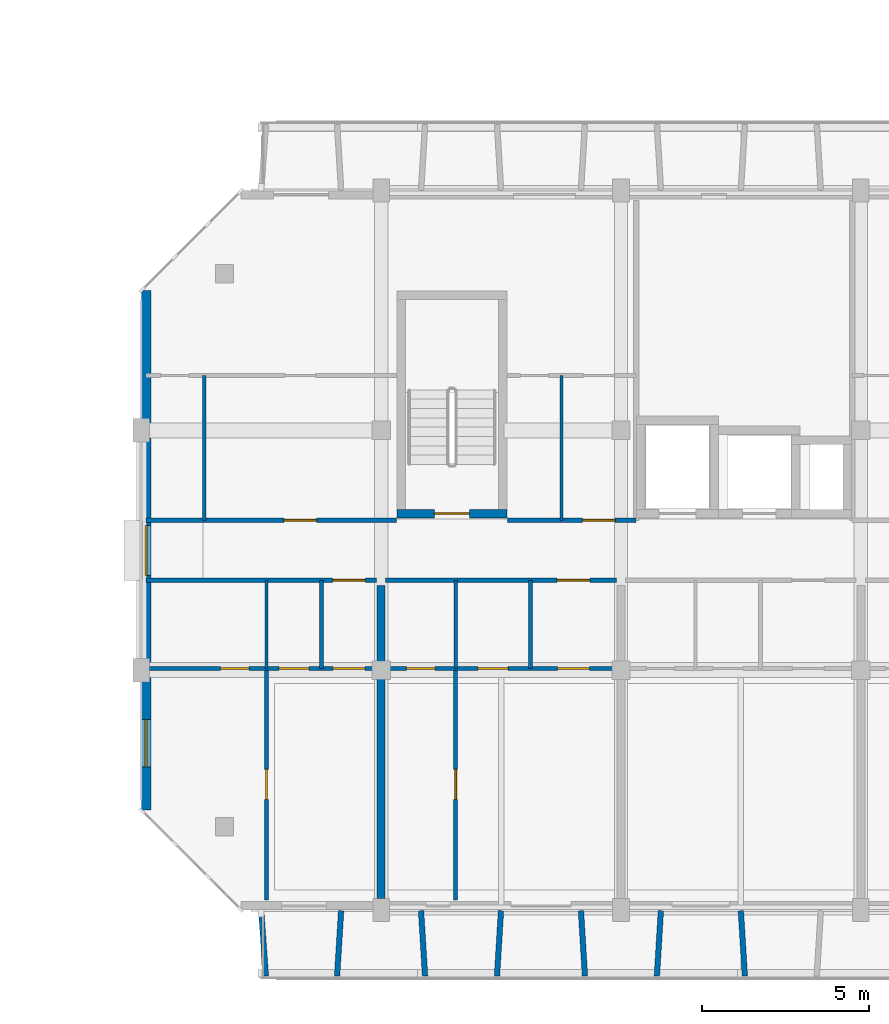
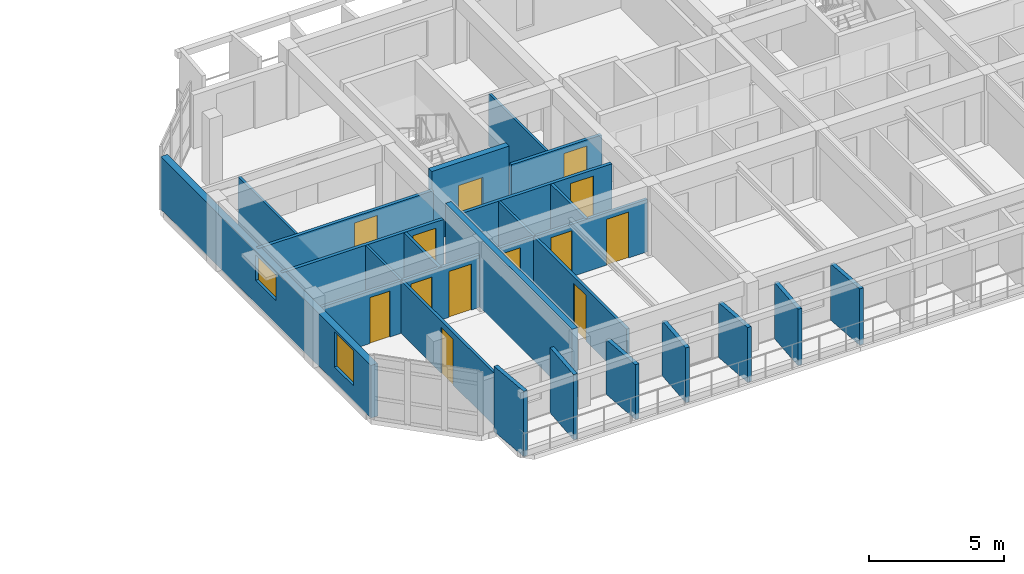
# One storey, part 29 of 51: 24 walls, 13 doors, 2 windows, 15 openings.
"""IFC4 building model written with IfcOpenShell, lengths in metres."""

from ifc_helpers import new_model, si_unit, direction, frame, frame_2d, origin, place, context, subcontext, project, spatial, rectangle, extrude, material, layer, layer_set, type_object, element, fill, save


model = new_model("IFC4")

# Units and contexts
model_context = context("Model", 3, precision=1e-05, world=origin(), true_north=direction((0.0, 1.0)))
body_context = subcontext(model_context, "Body", "Model", "MODEL_VIEW")
ifc_project = project(units=[si_unit("LENGTHUNIT", "METRE"), si_unit("AREAUNIT", "SQUARE_METRE"), si_unit("VOLUMEUNIT", "CUBIC_METRE"), si_unit("PLANEANGLEUNIT", "RADIAN"), si_unit("MASSUNIT", "GRAM", prefix="KILO")], contexts=[model_context])

# Site, building, storey
site_placement = place(None, origin())
site = spatial("IfcSite", under=ifc_project, at=site_placement, CompositionType="ELEMENT")
building_placement = place(site_placement, origin())
building = spatial("IfcBuilding", under=site, at=building_placement, Name="Ochrevale Crest", CompositionType="ELEMENT")
storey_placement = place(building_placement, frame((0.0, 0.0, 11.85009765625)))
storey = spatial("IfcBuildingStorey", under=building, at=storey_placement, Name="L03", CompositionType="ELEMENT", Elevation=11.85009765625)

# Wall, opening, door
ifc_material_1 = material(Name="Gypsum plasterboard", Category="gypsum")
ifc_layer_1 = layer(ifc_material_1, 0.139892578125)
ifc_layer_set_1 = layer_set([ifc_layer_1], Name="Gypsum plasterboard")
wall_type_1 = type_object("IfcWallType", Name="WL-COR-140", PredefinedType="PARTITIONING", material=ifc_layer_set_1)
wall_1_placement = place(storey_placement, frame((129.739990234375, 24.300048828125, 0.0), z_axis=(0.0, 0.0, 1.0), x_axis=(1.0, 0.0, 0.0)))
wall_1 = element("IfcWall", 1, at=wall_1_placement, inside=storey, type_object=wall_type_1, Name="Apartment C-L03-U1 corridor wall", PredefinedType="PARTITIONING", context=body_context, shape_type="SweptSolid", body=[
    extrude(rectangle(XDim=6.919921875, YDim=0.139892578125, at=frame_2d((3.4599609375, 0.0))), origin(), (0.0, 0.0, 1.0), 2.3798828125),
])
opening_1_placement = place(wall_1_placement, frame((6.5849609375, 0.0, 0.0), z_axis=(0.0, 0.0, 1.0), x_axis=(-1.0, 0.0, 0.0)))
opening_1 = element("IfcOpeningElement", 2, at=opening_1_placement, cuts=wall_1, Name="Opening FD01", PredefinedType="OPENING", context=body_context, shape_type="SweptSolid", body=[
    extrude(rectangle(XDim=0.97998046875, YDim=2.10009765625, at=frame_2d((0.489990234375, 1.050048828125))), frame((0.0, 0.080078125, 0.0), z_axis=(0.0, -1.0, 0.0), x_axis=(1.0, 0.0, 0.0)), (0.0, 0.0, 1.0), 0.159912109375),
])
ifc_material_2 = material(Name="Solid-core FSC hardwood", Category="wood")
door_type_1 = type_object("IfcDoorType", Name="DR-APT-950", OperationType="NOTDEFINED", PredefinedType="DOOR", material=ifc_material_2)
door_1_placement = place(opening_1_placement, origin())
door_1 = element("IfcDoor", 3, at=door_1_placement, inside=storey, type_object=door_type_1, Name="Apartment C-L03-U1 entrance door", OperationType="SINGLE_SWING_RIGHT", OverallHeight=2.10009765625, OverallWidth=0.97998046875, PredefinedType="DOOR", context=body_context, shape_type="SweptSolid", body=[
    extrude(rectangle(XDim=0.97998046875, YDim=2.10009765625, at=frame_2d((0.489990234375, 1.050048828125))), frame((0.0, 0.02490234375, 0.0), z_axis=(0.0, -1.0, 0.0), x_axis=(1.0, 0.0, 0.0)), (0.0, 0.0, 1.0), 0.050048828125),
])
fill(opening_1, door_1)

wall_2_placement = place(storey_placement, frame((136.93994140625, 24.300048828125, 0.0), z_axis=(0.0, 0.0, 1.0), x_axis=(1.0, 0.0, 0.0)))
wall_2 = element("IfcWall", 4, at=wall_2_placement, inside=storey, type_object=wall_type_1, Name="Apartment C-L03-U2 corridor wall", PredefinedType="PARTITIONING", context=body_context, shape_type="SweptSolid", body=[
    extrude(rectangle(XDim=6.920166015625, YDim=0.139892578125, at=frame_2d((3.4599609375, 0.0))), origin(), (0.0, 0.0, 1.0), 2.3798828125),
])
opening_2_placement = place(wall_2_placement, frame((5.14501953125, 0.0, 0.0)))
opening_2 = element("IfcOpeningElement", 5, at=opening_2_placement, cuts=wall_2, Name="Opening FD01", PredefinedType="OPENING", context=body_context, shape_type="SweptSolid", body=[
    extrude(rectangle(XDim=0.97998046875, YDim=2.10009765625, at=frame_2d((0.489990234375, 1.050048828125))), frame((0.0, 0.080078125, 0.0), z_axis=(0.0, -1.0, 0.0), x_axis=(1.0, 0.0, 0.0)), (0.0, 0.0, 1.0), 0.159912109375),
])
door_2_placement = place(opening_2_placement, origin())
door_2 = element("IfcDoor", 6, at=door_2_placement, inside=storey, type_object=door_type_1, Name="Apartment C-L03-U2 entrance door", OperationType="SINGLE_SWING_LEFT", OverallHeight=2.10009765625, OverallWidth=0.97998046875, PredefinedType="DOOR", context=body_context, shape_type="SweptSolid", body=[
    extrude(rectangle(XDim=0.97998046875, YDim=2.10009765625, at=frame_2d((0.489990234375, 1.050048828125))), frame((0.0, 0.02490234375, 0.0), z_axis=(0.0, -1.0, 0.0), x_axis=(1.0, 0.0, 0.0)), (0.0, 0.0, 1.0), 0.050048828125),
])
fill(opening_2, door_2)

wall_3_placement = place(storey_placement, frame((129.739990234375, 26.10009765625, 0.0), z_axis=(0.0, 0.0, 1.0), x_axis=(1.0, 0.0, 0.0)))
wall_3 = element("IfcWall", 7, at=wall_3_placement, inside=storey, type_object=wall_type_1, Name="Suite C-L03-CW corridor wall", PredefinedType="PARTITIONING", context=body_context, shape_type="SweptSolid", body=[
    extrude(rectangle(XDim=7.52001953125, YDim=0.139892578125, at=frame_2d((3.760009765625, 0.0))), origin(), (0.0, 0.0, 1.0), 2.3798828125),
])
opening_3_placement = place(wall_3_placement, frame((4.14501953125, 0.0, 0.0)))
opening_3 = element("IfcOpeningElement", 8, at=opening_3_placement, cuts=wall_3, Name="Opening FD01", PredefinedType="OPENING", context=body_context, shape_type="SweptSolid", body=[
    extrude(rectangle(XDim=0.97998046875, YDim=2.10009765625, at=frame_2d((0.489990234375, 1.050048828125))), frame((0.0, 0.080078125, 0.0), z_axis=(0.0, -1.0, 0.0), x_axis=(1.0, 0.0, 0.0)), (0.0, 0.0, 1.0), 0.159912109375),
])
door_3_placement = place(opening_3_placement, origin())
door_3 = element("IfcDoor", 9, at=door_3_placement, inside=storey, type_object=door_type_1, Name="Suite C-L03-CW entrance door", OperationType="SINGLE_SWING_LEFT", OverallHeight=2.10009765625, OverallWidth=0.97998046875, PredefinedType="DOOR", context=body_context, shape_type="SweptSolid", body=[
    extrude(rectangle(XDim=0.97998046875, YDim=2.10009765625, at=frame_2d((0.489990234375, 1.050048828125))), frame((0.0, 0.02490234375, 0.0), z_axis=(0.0, -1.0, 0.0), x_axis=(1.0, 0.0, 0.0)), (0.0, 0.0, 1.0), 0.050048828125),
])
fill(opening_3, door_3)

wall_4_placement = place(storey_placement, frame((140.590087890625, 26.10009765625, 0.0), z_axis=(0.0, 0.0, 1.0), x_axis=(1.0, 0.0, 0.0)))
wall_4 = element("IfcWall", 10, at=wall_4_placement, inside=storey, type_object=wall_type_1, Name="Suite C-L03-MW corridor wall", PredefinedType="PARTITIONING", context=body_context, shape_type="SweptSolid", body=[
    extrude(rectangle(XDim=3.869873046875, YDim=0.139892578125, at=frame_2d((1.93505859375, 0.0))), origin(), (0.0, 0.0, 1.0), 2.3798828125),
])
opening_4_placement = place(wall_4_placement, frame((3.23779296875, 0.0, 0.0), z_axis=(0.0, 0.0, 1.0), x_axis=(-1.0, 0.0, 0.0)))
opening_4 = element("IfcOpeningElement", 11, at=opening_4_placement, cuts=wall_4, Name="Opening FD01", PredefinedType="OPENING", context=body_context, shape_type="SweptSolid", body=[
    extrude(rectangle(XDim=0.97998046875, YDim=2.10009765625, at=frame_2d((0.489990234375, 1.050048828125))), frame((0.0, 0.080078125, 0.0), z_axis=(0.0, -1.0, 0.0), x_axis=(1.0, 0.0, 0.0)), (0.0, 0.0, 1.0), 0.159912109375),
])
door_4_placement = place(opening_4_placement, origin())
door_4 = element("IfcDoor", 12, at=door_4_placement, inside=storey, type_object=door_type_1, Name="Suite C-L03-MW entrance door", OperationType="SINGLE_SWING_RIGHT", OverallHeight=2.10009765625, OverallWidth=0.97998046875, PredefinedType="DOOR", context=body_context, shape_type="SweptSolid", body=[
    extrude(rectangle(XDim=0.97998046875, YDim=2.10009765625, at=frame_2d((0.489990234375, 1.050048828125))), frame((0.0, 0.02490234375, 0.0), z_axis=(0.0, -1.0, 0.0), x_axis=(1.0, 0.0, 0.0)), (0.0, 0.0, 1.0), 0.050048828125),
])
fill(opening_4, door_4)

ifc_material_3 = material(Name="Precast concrete C50/60", Category="concrete")
ifc_layer_2 = layer(ifc_material_3, 0.2548828125)
ifc_layer_set_2 = layer_set([ifc_layer_2], Name="Precast concrete C50/60")
wall_type_2 = type_object("IfcWallType", Name="WL-CORE-255", PredefinedType="SHEAR", material=ifc_layer_set_2)
wall_5_placement = place(storey_placement, frame((137.2724609375, 26.300048828125, 0.0), z_axis=(0.0, 0.0, 1.0), x_axis=(1.0, 0.0, 0.0)))
wall_5 = element("IfcWall", 13, at=wall_5_placement, inside=storey, type_object=wall_type_2, Name="Block C L03 Stair 1 precast core shear wall S", PredefinedType="SHEAR", context=body_context, shape_type="SweptSolid", body=[
    extrude(rectangle(XDim=3.304931640625, YDim=0.2548828125, at=frame_2d((1.65234375, 0.0))), origin(), (0.0, 0.0, 1.0), 3.14990234375),
])
opening_5_placement = place(wall_5_placement, frame((2.177490234375, 0.0, 0.0), z_axis=(0.0, 0.0, 1.0), x_axis=(-1.0, 0.0, 0.0)))
opening_5 = element("IfcOpeningElement", 14, at=opening_5_placement, cuts=wall_5, Name="Opening FD03", PredefinedType="OPENING", context=body_context, shape_type="SweptSolid", body=[
    extrude(rectangle(XDim=1.050048828125, YDim=2.1201171875, at=frame_2d((0.52490234375, 1.06005859375))), frame((0.0, 0.137451171875, 0.0), z_axis=(0.0, -1.0, 0.0), x_axis=(1.0, 0.0, 0.0)), (0.0, 0.0, 1.0), 0.27490234375),
])
door_type_2 = type_object("IfcDoorType", Name="DR-ST-1050", OperationType="NOTDEFINED", PredefinedType="DOOR", material=ifc_material_2)
door_5_placement = place(opening_5_placement, origin())
door_5 = element("IfcDoor", 15, at=door_5_placement, inside=storey, type_object=door_type_2, Name="Block C L03 fire stair 1 door", OperationType="SINGLE_SWING_RIGHT", OverallHeight=2.1201171875, OverallWidth=1.050048828125, PredefinedType="DOOR", context=body_context, shape_type="SweptSolid", body=[
    extrude(rectangle(XDim=1.050048828125, YDim=2.1201171875, at=frame_2d((0.52490234375, 1.06005859375))), frame((0.0, 0.02490234375, 0.0), z_axis=(0.0, -1.0, 0.0), x_axis=(1.0, 0.0, 0.0)), (0.0, 0.0, 1.0), 0.050048828125),
])
fill(opening_5, door_5)

# Wall, openings, windows
ifc_material_4 = material(Name="Clay face brickwork", Category="masonry")
ifc_layer_3 = layer(ifc_material_4, 0.2900390625)
ifc_layer_set_3 = layer_set([ifc_layer_3], Name="Clay face brickwork")
wall_type_3 = type_object("IfcWallType", Name="WL-EXT-BRICK-290", PredefinedType="SOLIDWALL", material=ifc_layer_set_3)
wall_6_placement = place(storey_placement, frame((129.7451171875, 33.0, 0.0), z_axis=(0.0, 0.0, 1.0), x_axis=(0.0, -1.0, 0.0)))
wall_6 = element("IfcWall", 16, at=wall_6_placement, inside=storey, type_object=wall_type_3, Name="Block C L03 external facade wall E7", PredefinedType="SOLIDWALL", context=body_context, shape_type="SweptSolid", body=[
    extrude(rectangle(XDim=15.60009765625, YDim=0.2900390625, at=frame_2d((7.800048828125, 0.0))), origin(), (0.0, 0.0, 1.0), 2.3798828125),
])
opening_6_placement = place(wall_6_placement, frame((7.050048828125, 0.0, 1.050048828125)))
opening_6 = element("IfcOpeningElement", 17, at=opening_6_placement, cuts=wall_6, Name="Opening W18", PredefinedType="OPENING", context=body_context, shape_type="SweptSolid", body=[
    extrude(rectangle(XDim=1.5, YDim=1.14990234375, at=frame_2d((0.75, 0.574951171875))), frame((0.0, 0.155029296875, 0.0), z_axis=(0.0, -1.0, 0.0), x_axis=(1.0, 0.0, 0.0)), (0.0, 0.0, 1.0), 0.31005859375),
])
opening_7_placement = place(wall_6_placement, frame((12.8798828125, 0.0, 0.669921875)))
opening_7 = element("IfcOpeningElement", 18, at=opening_7_placement, cuts=wall_6, Name="Opening W31", PredefinedType="OPENING", context=body_context, shape_type="SweptSolid", body=[
    extrude(rectangle(XDim=1.419921875, YDim=1.60009765625, at=frame_2d((0.7099609375, 0.800048828125))), frame((0.0, 0.155029296875, 0.0), z_axis=(0.0, -1.0, 0.0), x_axis=(1.0, 0.0, 0.0)), (0.0, 0.0, 1.0), 0.31005859375),
])
ifc_material_5 = material(Name="Anodised aluminium 6063-T5 and low-E double glazing", Category="aluminium")
window_type_1 = type_object("IfcWindowType", Name="WIN-W18", PartitioningType="SINGLE_PANEL", PredefinedType="WINDOW", material=ifc_material_5)
window_1_placement = place(opening_6_placement, origin())
window_1 = element("IfcWindow", 19, at=window_1_placement, inside=storey, type_object=window_type_1, Name="Block C L03 corridor end daylight window W", OverallHeight=1.14990234375, OverallWidth=1.5, PartitioningType="SINGLE_PANEL", PredefinedType="WINDOW", context=body_context, shape_type="SweptSolid", body=[
    extrude(rectangle(XDim=1.5, YDim=1.14990234375, at=frame_2d((0.75, 0.574951171875))), frame((0.0, 0.030029296875, 0.0), z_axis=(0.0, -1.0, 0.0), x_axis=(1.0, 0.0, 0.0)), (0.0, 0.0, 1.0), 0.06005859375),
])
fill(opening_6, window_1)
window_type_2 = type_object("IfcWindowType", Name="WIN-W31", PartitioningType="SINGLE_PANEL", PredefinedType="WINDOW", material=ifc_material_5)
window_2_placement = place(opening_7_placement, origin())
window_2 = element("IfcWindow", 20, at=window_2_placement, inside=storey, type_object=window_type_2, Name="Block C L03 side suite window W", OverallHeight=1.60009765625, OverallWidth=1.419921875, PartitioningType="SINGLE_PANEL", PredefinedType="WINDOW", context=body_context, shape_type="SweptSolid", body=[
    extrude(rectangle(XDim=1.419921875, YDim=1.60009765625, at=frame_2d((0.7099609375, 0.800048828125))), frame((0.0, 0.030029296875, 0.0), z_axis=(0.0, -1.0, 0.0), x_axis=(1.0, 0.0, 0.0)), (0.0, 0.0, 1.0), 0.06005859375),
])
fill(opening_7, window_2)

# Walls
ifc_material_6 = material(Name="Precast concrete C40/50", Category="concrete")
ifc_layer_4 = layer(ifc_material_6, 0.1650390625)
ifc_layer_set_4 = layer_set([ifc_layer_4], Name="Precast concrete C40/50")
wall_type_4 = type_object("IfcWallType", Name="WL-HC-CHEEK-165", PredefinedType="ELEMENTEDWALL", material=ifc_layer_set_4)
wall_7_placement = place(storey_placement, frame((133.199951171875, 14.3798828125, 0.0), z_axis=(0.0, 0.0, 1.0), x_axis=(0.071317687608, -0.997453651772, 0.0)))
element("IfcWall", 21, at=wall_7_placement, inside=storey, type_object=wall_type_4, Name="Block C L03 S precast honeycomb cheek 1", PredefinedType="ELEMENTEDWALL", context=body_context, shape_type="SweptSolid", body=[
    extrude(rectangle(XDim=1.96484375, YDim=0.1650390625, at=frame_2d((0.982421875, 0.0))), origin(), (0.0, 0.0, 1.0), 2.949951171875),
])
wall_8_placement = place(storey_placement, frame((135.60009765625, 14.3798828125, 0.0), z_axis=(0.0, 0.0, 1.0), x_axis=(-0.061170732449, -0.998127317276, 0.0)))
element("IfcWall", 22, at=wall_8_placement, inside=storey, type_object=wall_type_4, Name="Block C L03 S precast honeycomb cheek 2", PredefinedType="ELEMENTEDWALL", context=body_context, shape_type="SweptSolid", body=[
    extrude(rectangle(XDim=1.963623046875, YDim=0.1650390625, at=frame_2d((0.98193359375, 0.0))), origin(), (0.0, 0.0, 1.0), 2.949951171875),
])
for number, where, z_axis, x_axis, name in (
    (23, (138.0, 14.3798828125, 0.0), (0.0, 0.0, 1.0), (0.061170732449, -0.998127317276, 0.0), "Block C L03 S precast honeycomb cheek 3"),
    (24, (140.39990234375, 14.3798828125, 0.0), (0.0, 0.0, 1.0), (-0.061046865508, -0.998134900808, 0.0), "Block C L03 S precast honeycomb cheek 4"),
    (25, (142.800048828125, 14.3798828125, 0.0), (0.0, 0.0, 1.0), (0.061046865508, -0.998134900808, 0.0), "Block C L03 S precast honeycomb cheek 5"),
):
    element("IfcWall", number, at=place(storey_placement, frame(where, z_axis=z_axis, x_axis=x_axis)), inside=storey, type_object=wall_type_4, Name=name, PredefinedType="ELEMENTEDWALL", context=body_context, shape_type="SweptSolid", body=[
        extrude(rectangle(XDim=1.963623046875, YDim=0.1650390625, at=frame_2d((0.98193359375, 0.0))), origin(), (0.0, 0.0, 1.0), 2.47998046875),
    ])
for number, where, z_axis, x_axis, name in (
    (26, (145.199951171875, 14.3798828125, 0.0), (0.0, 0.0, 1.0), (-0.061046865508, -0.998134900808, 0.0), "Block C L03 S precast honeycomb cheek 6"),
    (27, (147.60009765625, 14.3798828125, 0.0), (0.0, 0.0, 1.0), (0.061046865508, -0.998134900808, 0.0), "Block C L03 S precast honeycomb cheek 7"),
):
    element("IfcWall", number, at=place(storey_placement, frame(where, z_axis=z_axis, x_axis=x_axis)), inside=storey, type_object=wall_type_4, Name=name, PredefinedType="ELEMENTEDWALL", context=body_context, shape_type="SweptSolid", body=[
        extrude(rectangle(XDim=1.963623046875, YDim=0.1650390625, at=frame_2d((0.98193359375, 0.0))), origin(), (0.0, 0.0, 1.0), 2.5498046875),
    ])
ifc_layer_5 = layer(ifc_material_1, 0.1201171875)
ifc_layer_set_5 = layer_set([ifc_layer_5], Name="Gypsum plasterboard")
wall_type_5 = type_object("IfcWallType", Name="WL-PART-120", PredefinedType="PARTITIONING", material=ifc_layer_set_5)
wall_9_placement = place(storey_placement, frame((135.010009765625, 21.64990234375, 0.0), z_axis=(0.0, 0.0, 1.0), x_axis=(0.0, 1.0, 0.0)))
element("IfcWall", 28, at=wall_9_placement, inside=storey, type_object=wall_type_5, Name="Apartment C-L03-U1 kitchen-foyer wall", PredefinedType="PARTITIONING", context=body_context, shape_type="SweptSolid", body=[
    extrude(rectangle(XDim=2.650146484375, YDim=0.1201171875, at=frame_2d((1.3251953125, 0.0))), origin(), (0.0, 0.0, 1.0), 2.375),
])

# Wall, openings, doors
wall_10_placement = place(storey_placement, frame((129.739990234375, 21.64990234375, 0.0), z_axis=(0.0, 0.0, 1.0), x_axis=(1.0, 0.0, 0.0)))
wall_10 = element("IfcWall", 29, at=wall_10_placement, inside=storey, type_object=wall_type_5, Name="Apartment C-L03-U1 central partition", PredefinedType="PARTITIONING", context=body_context, shape_type="SweptSolid", body=[
    extrude(rectangle(XDim=6.919921875, YDim=0.1201171875, at=frame_2d((3.4599609375, 0.0))), origin(), (0.0, 0.0, 1.0), 2.375),
])
opening_8_placement = place(wall_10_placement, frame((2.239990234375, 0.0, 0.0)))
opening_8 = element("IfcOpeningElement", 30, at=opening_8_placement, cuts=wall_10, Name="Opening ID01", PredefinedType="OPENING", context=body_context, shape_type="SweptSolid", body=[
    extrude(rectangle(XDim=0.85009765625, YDim=2.080078125, at=frame_2d((0.425048828125, 1.0400390625))), frame((0.0, 0.070068359375, 0.0), z_axis=(0.0, -1.0, 0.0), x_axis=(1.0, 0.0, 0.0)), (0.0, 0.0, 1.0), 0.14013671875),
])
opening_9_placement = place(wall_10_placement, frame((4.89501953125, 0.0, 0.0), z_axis=(0.0, 0.0, 1.0), x_axis=(-1.0, 0.0, 0.0)))
opening_9 = element("IfcOpeningElement", 31, at=opening_9_placement, cuts=wall_10, Name="Opening ID02", PredefinedType="OPENING", context=body_context, shape_type="SweptSolid", body=[
    extrude(rectangle(XDim=0.89990234375, YDim=2.080078125, at=frame_2d((0.449951171875, 1.0400390625))), frame((0.0, 0.070068359375, 0.0), z_axis=(0.0, -1.0, 0.0), x_axis=(1.0, 0.0, 0.0)), (0.0, 0.0, 1.0), 0.14013671875),
])
opening_10_placement = place(wall_10_placement, frame((5.6201171875, 0.0, 0.0)))
opening_10 = element("IfcOpeningElement", 32, at=opening_10_placement, cuts=wall_10, Name="Opening ID06", PredefinedType="OPENING", context=body_context, shape_type="SweptSolid", body=[
    extrude(rectangle(XDim=0.949951171875, YDim=2.080078125, at=frame_2d((0.47509765625, 1.0400390625))), frame((0.0, 0.070068359375, 0.0), z_axis=(0.0, -1.0, 0.0), x_axis=(1.0, 0.0, 0.0)), (0.0, 0.0, 1.0), 0.14013671875),
])
door_type_3 = type_object("IfcDoorType", Name="DR-INT-900", OperationType="NOTDEFINED", PredefinedType="DOOR", material=ifc_material_2)
door_6_placement = place(opening_9_placement, origin())
door_6 = element("IfcDoor", 33, at=door_6_placement, inside=storey, type_object=door_type_3, Name="Apartment C-L03-U1 Kitchen door", OperationType="SINGLE_SWING_RIGHT", OverallHeight=2.080078125, OverallWidth=0.89990234375, PredefinedType="DOOR", context=body_context, shape_type="SweptSolid", body=[
    extrude(rectangle(XDim=0.89990234375, YDim=2.080078125, at=frame_2d((0.449951171875, 1.0400390625))), frame((0.0, 0.02490234375, 0.0), z_axis=(0.0, -1.0, 0.0), x_axis=(1.0, 0.0, 0.0)), (0.0, 0.0, 1.0), 0.050048828125),
])
fill(opening_9, door_6)
door_type_4 = type_object("IfcDoorType", Name="DR-INT-950", OperationType="NOTDEFINED", PredefinedType="DOOR", material=ifc_material_2)
door_7_placement = place(opening_10_placement, origin())
door_7 = element("IfcDoor", 34, at=door_7_placement, inside=storey, type_object=door_type_4, Name="Apartment C-L03-U1 Living Foyer door", OperationType="SINGLE_SWING_LEFT", OverallHeight=2.080078125, OverallWidth=0.949951171875, PredefinedType="DOOR", context=body_context, shape_type="SweptSolid", body=[
    extrude(rectangle(XDim=0.949951171875, YDim=2.080078125, at=frame_2d((0.47509765625, 1.0400390625))), frame((0.0, 0.02490234375, 0.0), z_axis=(0.0, -1.0, 0.0), x_axis=(1.0, 0.0, 0.0)), (0.0, 0.0, 1.0), 0.050048828125),
])
fill(opening_10, door_7)
door_type_5 = type_object("IfcDoorType", Name="DR-WC-850", OperationType="NOTDEFINED", PredefinedType="DOOR", material=ifc_material_2)
door_8_placement = place(opening_8_placement, origin())
door_8 = element("IfcDoor", 35, at=door_8_placement, inside=storey, type_object=door_type_5, Name="Apartment C-L03-U1 Bathroom door", OperationType="SINGLE_SWING_LEFT", OverallHeight=2.080078125, OverallWidth=0.85009765625, PredefinedType="DOOR", context=body_context, shape_type="SweptSolid", body=[
    extrude(rectangle(XDim=0.85009765625, YDim=2.080078125, at=frame_2d((0.425048828125, 1.0400390625))), frame((0.0, 0.02490234375, 0.0), z_axis=(0.0, -1.0, 0.0), x_axis=(1.0, 0.0, 0.0)), (0.0, 0.0, 1.0), 0.050048828125),
])
fill(opening_8, door_8)

# Wall, opening, door
wall_11_placement = place(storey_placement, frame((133.360107421875, 14.699951171875, 0.0), z_axis=(0.0, 0.0, 1.0), x_axis=(0.0, 1.0, 0.0)))
wall_11 = element("IfcWall", 36, at=wall_11_placement, inside=storey, type_object=wall_type_5, Name="Apartment C-L03-U1 bedroom partition", PredefinedType="PARTITIONING", context=body_context, shape_type="SweptSolid", body=[
    extrude(rectangle(XDim=6.949951171875, YDim=0.1201171875, at=frame_2d((3.47509765625, 0.0))), origin(), (0.0, 0.0, 1.0), 2.375),
])
opening_11_placement = place(wall_11_placement, frame((3.9248046875, 0.0, 0.0), z_axis=(0.0, 0.0, 1.0), x_axis=(-1.0, 0.0, 0.0)))
opening_11 = element("IfcOpeningElement", 37, at=opening_11_placement, cuts=wall_11, Name="Opening ID02", PredefinedType="OPENING", context=body_context, shape_type="SweptSolid", body=[
    extrude(rectangle(XDim=0.89990234375, YDim=2.080078125, at=frame_2d((0.449951171875, 1.0400390625))), frame((0.0, 0.070068359375, 0.0), z_axis=(0.0, -1.0, 0.0), x_axis=(1.0, 0.0, 0.0)), (0.0, 0.0, 1.0), 0.14013671875),
])
door_9_placement = place(opening_11_placement, origin())
door_9 = element("IfcDoor", 38, at=door_9_placement, inside=storey, type_object=door_type_3, Name="Apartment C-L03-U1 Master Bedroom door", OperationType="SINGLE_SWING_RIGHT", OverallHeight=2.080078125, OverallWidth=0.89990234375, PredefinedType="DOOR", context=body_context, shape_type="SweptSolid", body=[
    extrude(rectangle(XDim=0.89990234375, YDim=2.080078125, at=frame_2d((0.449951171875, 1.0400390625))), frame((0.0, 0.02490234375, 0.0), z_axis=(0.0, -1.0, 0.0), x_axis=(1.0, 0.0, 0.0)), (0.0, 0.0, 1.0), 0.050048828125),
])
fill(opening_11, door_9)

# Wall
wall_12_placement = place(storey_placement, frame((141.2900390625, 21.64990234375, 0.0), z_axis=(0.0, 0.0, 1.0), x_axis=(0.0, 1.0, 0.0)))
element("IfcWall", 39, at=wall_12_placement, inside=storey, type_object=wall_type_5, Name="Apartment C-L03-U2 kitchen-foyer wall", PredefinedType="PARTITIONING", context=body_context, shape_type="SweptSolid", body=[
    extrude(rectangle(XDim=2.650146484375, YDim=0.1201171875, at=frame_2d((1.3251953125, 0.0))), origin(), (0.0, 0.0, 1.0), 2.375),
])

# Wall, openings, doors
wall_13_placement = place(storey_placement, frame((136.93994140625, 21.64990234375, 0.0), z_axis=(0.0, 0.0, 1.0), x_axis=(1.0, 0.0, 0.0)))
wall_13 = element("IfcWall", 40, at=wall_13_placement, inside=storey, type_object=wall_type_5, Name="Apartment C-L03-U2 central partition", PredefinedType="PARTITIONING", context=body_context, shape_type="SweptSolid", body=[
    extrude(rectangle(XDim=6.920166015625, YDim=0.1201171875, at=frame_2d((3.4599609375, 0.0))), origin(), (0.0, 0.0, 1.0), 2.375),
])
opening_12_placement = place(wall_13_placement, frame((1.47509765625, 0.0, 0.0), z_axis=(0.0, 0.0, 1.0), x_axis=(-1.0, 0.0, 0.0)))
opening_12 = element("IfcOpeningElement", 41, at=opening_12_placement, cuts=wall_13, Name="Opening ID01", PredefinedType="OPENING", context=body_context, shape_type="SweptSolid", body=[
    extrude(rectangle(XDim=0.85009765625, YDim=2.080078125, at=frame_2d((0.425048828125, 1.0400390625))), frame((0.0, 0.070068359375, 0.0), z_axis=(0.0, -1.0, 0.0), x_axis=(1.0, 0.0, 0.0)), (0.0, 0.0, 1.0), 0.14013671875),
])
opening_13_placement = place(wall_13_placement, frame((2.77490234375, 0.0, 0.0)))
opening_13 = element("IfcOpeningElement", 42, at=opening_13_placement, cuts=wall_13, Name="Opening ID02", PredefinedType="OPENING", context=body_context, shape_type="SweptSolid", body=[
    extrude(rectangle(XDim=0.89990234375, YDim=2.080078125, at=frame_2d((0.449951171875, 1.0400390625))), frame((0.0, 0.070068359375, 0.0), z_axis=(0.0, -1.0, 0.0), x_axis=(1.0, 0.0, 0.0)), (0.0, 0.0, 1.0), 0.14013671875),
])
opening_14_placement = place(wall_13_placement, frame((6.10986328125, 0.0, 0.0), z_axis=(0.0, 0.0, 1.0), x_axis=(-1.0, 0.0, 0.0)))
opening_14 = element("IfcOpeningElement", 43, at=opening_14_placement, cuts=wall_13, Name="Opening ID06", PredefinedType="OPENING", context=body_context, shape_type="SweptSolid", body=[
    extrude(rectangle(XDim=0.949951171875, YDim=2.080078125, at=frame_2d((0.47509765625, 1.0400390625))), frame((0.0, 0.070068359375, 0.0), z_axis=(0.0, -1.0, 0.0), x_axis=(1.0, 0.0, 0.0)), (0.0, 0.0, 1.0), 0.14013671875),
])
door_10_placement = place(opening_13_placement, origin())
door_10 = element("IfcDoor", 44, at=door_10_placement, inside=storey, type_object=door_type_3, Name="Apartment C-L03-U2 Kitchen door", OperationType="SINGLE_SWING_LEFT", OverallHeight=2.080078125, OverallWidth=0.89990234375, PredefinedType="DOOR", context=body_context, shape_type="SweptSolid", body=[
    extrude(rectangle(XDim=0.89990234375, YDim=2.080078125, at=frame_2d((0.449951171875, 1.0400390625))), frame((0.0, 0.02490234375, 0.0), z_axis=(0.0, -1.0, 0.0), x_axis=(1.0, 0.0, 0.0)), (0.0, 0.0, 1.0), 0.050048828125),
])
fill(opening_13, door_10)
door_11_placement = place(opening_14_placement, origin())
door_11 = element("IfcDoor", 45, at=door_11_placement, inside=storey, type_object=door_type_4, Name="Apartment C-L03-U2 Living Foyer door", OperationType="SINGLE_SWING_RIGHT", OverallHeight=2.080078125, OverallWidth=0.949951171875, PredefinedType="DOOR", context=body_context, shape_type="SweptSolid", body=[
    extrude(rectangle(XDim=0.949951171875, YDim=2.080078125, at=frame_2d((0.47509765625, 1.0400390625))), frame((0.0, 0.02490234375, 0.0), z_axis=(0.0, -1.0, 0.0), x_axis=(1.0, 0.0, 0.0)), (0.0, 0.0, 1.0), 0.050048828125),
])
fill(opening_14, door_11)
door_12_placement = place(opening_12_placement, origin())
door_12 = element("IfcDoor", 46, at=door_12_placement, inside=storey, type_object=door_type_5, Name="Apartment C-L03-U2 Bathroom door", OperationType="SINGLE_SWING_RIGHT", OverallHeight=2.080078125, OverallWidth=0.85009765625, PredefinedType="DOOR", context=body_context, shape_type="SweptSolid", body=[
    extrude(rectangle(XDim=0.85009765625, YDim=2.080078125, at=frame_2d((0.425048828125, 1.0400390625))), frame((0.0, 0.02490234375, 0.0), z_axis=(0.0, -1.0, 0.0), x_axis=(1.0, 0.0, 0.0)), (0.0, 0.0, 1.0), 0.050048828125),
])
fill(opening_12, door_12)

# Wall, opening, door
wall_14_placement = place(storey_placement, frame((139.0400390625, 14.699951171875, 0.0), z_axis=(0.0, 0.0, 1.0), x_axis=(0.0, 1.0, 0.0)))
wall_14 = element("IfcWall", 47, at=wall_14_placement, inside=storey, type_object=wall_type_5, Name="Apartment C-L03-U2 bedroom partition", PredefinedType="PARTITIONING", context=body_context, shape_type="SweptSolid", body=[
    extrude(rectangle(XDim=6.949951171875, YDim=0.1201171875, at=frame_2d((3.47509765625, 0.0))), origin(), (0.0, 0.0, 1.0), 2.375),
])
opening_15_placement = place(wall_14_placement, frame((3.02490234375, 0.0, 0.0)))
opening_15 = element("IfcOpeningElement", 48, at=opening_15_placement, cuts=wall_14, Name="Opening ID02", PredefinedType="OPENING", context=body_context, shape_type="SweptSolid", body=[
    extrude(rectangle(XDim=0.89990234375, YDim=2.080078125, at=frame_2d((0.449951171875, 1.0400390625))), frame((0.0, 0.070068359375, 0.0), z_axis=(0.0, -1.0, 0.0), x_axis=(1.0, 0.0, 0.0)), (0.0, 0.0, 1.0), 0.14013671875),
])
door_13_placement = place(opening_15_placement, origin())
door_13 = element("IfcDoor", 49, at=door_13_placement, inside=storey, type_object=door_type_3, Name="Apartment C-L03-U2 Twin Bedroom door", OperationType="SINGLE_SWING_LEFT", OverallHeight=2.080078125, OverallWidth=0.89990234375, PredefinedType="DOOR", context=body_context, shape_type="SweptSolid", body=[
    extrude(rectangle(XDim=0.89990234375, YDim=2.080078125, at=frame_2d((0.449951171875, 1.0400390625))), frame((0.0, 0.02490234375, 0.0), z_axis=(0.0, -1.0, 0.0), x_axis=(1.0, 0.0, 0.0)), (0.0, 0.0, 1.0), 0.050048828125),
])
fill(opening_15, door_13)

# Walls
ifc_layer_6 = layer(ifc_material_3, 0.239990234375)
ifc_layer_set_6 = layer_set([ifc_layer_6], Name="Precast concrete C50/60")
wall_type_6 = type_object("IfcWallType", Name="WL-SHEAR-240", PredefinedType="SHEAR", material=ifc_layer_set_6)
wall_15_placement = place(storey_placement, frame((136.800048828125, 14.75, 0.0), z_axis=(0.0, 0.0, 1.0), x_axis=(0.0, 1.0, 0.0)))
element("IfcWall", 50, at=wall_15_placement, inside=storey, type_object=wall_type_6, Name="Block C L03 load-bearing precast cross-wall X=136.8", PredefinedType="SHEAR", context=body_context, shape_type="SweptSolid", body=[
    extrude(rectangle(XDim=9.39990234375, YDim=0.239990234375, at=frame_2d((4.699951171875, 0.0))), origin(), (0.0, 0.0, 1.0), 3.14990234375),
])
ifc_layer_7 = layer(ifc_material_1, 0.10009765625)
ifc_layer_set_7 = layer_set([ifc_layer_7], Name="Gypsum plasterboard")
wall_type_7 = type_object("IfcWallType", Name="WL-WET-100", PredefinedType="PARTITIONING", material=ifc_layer_set_7)
for number, where, z_axis, x_axis, name in (
    (51, (133.360107421875, 21.64990234375, 0.0), (0.0, 0.0, 1.0), (0.0, 1.0, 0.0), "Apartment C-L03-U1 bath-kitchen wall"),
    (52, (139.0400390625, 21.64990234375, 0.0), (0.0, 0.0, 1.0), (0.0, 1.0, 0.0), "Apartment C-L03-U2 bath-kitchen wall"),
):
    element("IfcWall", number, at=place(storey_placement, frame(where, z_axis=z_axis, x_axis=x_axis)), inside=storey, type_object=wall_type_7, Name=name, PredefinedType="PARTITIONING", context=body_context, shape_type="SweptSolid", body=[
        extrude(rectangle(XDim=2.650146484375, YDim=0.10009765625, at=frame_2d((1.3251953125, 0.0))), origin(), (0.0, 0.0, 1.0), 2.375),
    ])
for number, where, z_axis, x_axis, name in (
    (53, (131.489990234375, 26.10009765625, 0.0), (0.0, 0.0, 1.0), (0.0, 1.0, 0.0), "Suite C-L03-CW bathroom divider"),
    (54, (142.21533203125, 26.10009765625, 0.0), (0.0, 0.0, 1.0), (0.0, 1.0, 0.0), "Suite C-L03-MW bathroom divider"),
):
    element("IfcWall", number, at=place(storey_placement, frame(where, z_axis=z_axis, x_axis=x_axis)), inside=storey, type_object=wall_type_7, Name=name, PredefinedType="PARTITIONING", context=body_context, shape_type="SweptSolid", body=[
        extrude(rectangle(XDim=4.349853515625, YDim=0.10009765625, at=frame_2d((2.1748046875, 0.0))), origin(), (0.0, 0.0, 1.0), 2.375),
    ])

save(model, "model.ifc")
